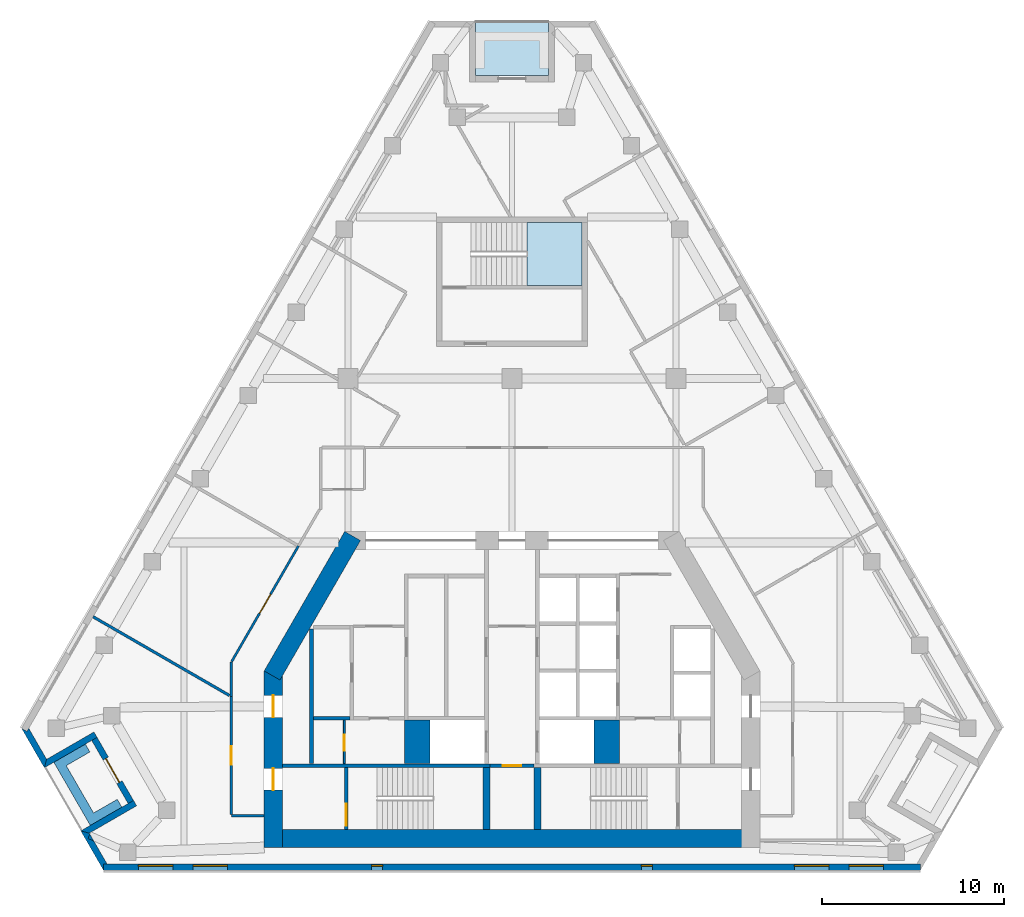
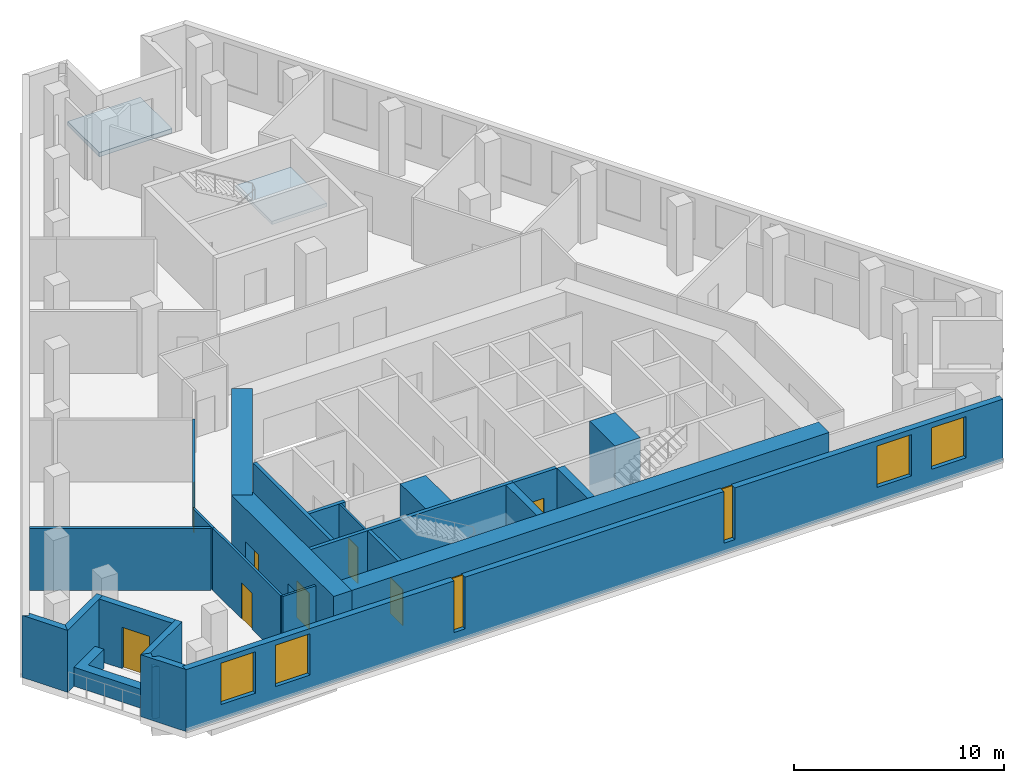
# One storey, part 2 of 8: 26 walls, 8 doors, 6 windows, 2 slabs, 14 openings, 1 element without a shape of its own.
"""IFC4 building model written with IfcOpenShell, lengths in metres."""

from ifc_helpers import new_model, si_unit, direction, frame, frame_2d, origin, place, context, subcontext, project, spatial, polyline, rectangle, outline, extrude, material, layer, layer_set, type_object, element, fill, aggregate, save


model = new_model("IFC4")

# Units and contexts
model_context = context("Model", 3, precision=1e-05, world=origin(), true_north=direction((0.0, 1.0)))
body_context = subcontext(model_context, "Body", "Model", "MODEL_VIEW")
ifc_project = project(units=[si_unit("LENGTHUNIT", "METRE"), si_unit("AREAUNIT", "SQUARE_METRE"), si_unit("VOLUMEUNIT", "CUBIC_METRE"), si_unit("PLANEANGLEUNIT", "RADIAN"), si_unit("MASSUNIT", "GRAM", prefix="KILO")], contexts=[model_context])

# Site, building, storey
site_placement = place(None, origin())
site = spatial("IfcSite", under=ifc_project, at=site_placement, CompositionType="ELEMENT")
building_placement = place(site_placement, origin())
building = spatial("IfcBuilding", under=site, at=building_placement, Name="Fogline Exchange Tower", CompositionType="ELEMENT")
storey_placement = place(building_placement, frame((0.0, 0.0, 227.5)))
storey = spatial("IfcBuildingStorey", under=building, at=storey_placement, Name="L51", CompositionType="ELEMENT", Elevation=227.5)

# Slab
ifc_material_1 = material(Name="Concrete C40", Category="concrete")
ifc_layer_1 = layer(ifc_material_1, 0.25)
ifc_layer_set_1 = layer_set([ifc_layer_1], Name="DK1")
slab_type_1 = type_object("IfcSlabType", Name="DK1", PredefinedType="FLOOR", material=ifc_layer_set_1)
slab_1_placement = place(storey_placement, frame((0.0, 0.0, -0.25)))
element("IfcSlab", 1, at=slab_1_placement, inside=storey, type_object=slab_type_1, Name="Balcony L51 N", PredefinedType="FLOOR", context=body_context, shape_type="SweptSolid", body=[
    extrude(outline(polyline([(2.0, 46.61669921875), (-2.0, 46.61669921875), (-2.0, 43.61669921875), (2.0, 43.61669921875), (2.0, 46.61669921875)])), origin(), (0.0, 0.0, 1.0), 0.25),
])

# Stair, slab
stair_type = type_object("IfcStairType", Name="STR24-1667", PredefinedType="HALF_TURN_STAIR", material=ifc_material_1)
stair_placement = place(storey_placement, origin())
stair = element("IfcStair", 2, at=stair_placement, inside=storey, type_object=stair_type, Name="Stair ST3", PredefinedType="HALF_TURN_STAIR")
ifc_layer_2 = layer(ifc_material_1, 0.199951171875)
ifc_layer_set_2 = layer_set([ifc_layer_2], Name="SL200")
slab_type_2 = type_object("IfcSlabType", Name="SL200", PredefinedType="LANDING", material=ifc_layer_set_2)
slab_2_placement = place(storey_placement, frame((0.0, 0.0, 1.800048828125)))
slab_2 = element("IfcSlab", 3, at=slab_2_placement, type_object=slab_type_2, Name="ST3 landing 1", PredefinedType="LANDING", context=body_context, shape_type="SweptSolid", body=[
    extrude(outline(polyline([(0.830078125, 32.10693359375), (3.85009765625, 32.10693359375), (3.85009765625, 35.556884765625), (0.830078125, 35.556884765625), (0.830078125, 32.10693359375)])), origin(), (0.0, 0.0, 1.0), 0.199951171875),
])
aggregate(stair, [slab_2])

# Wall, opening, door
ifc_material_2 = material(Name="Blockwork partition", Category="masonry")
ifc_layer_3 = layer(ifc_material_2, 0.10009765625)
ifc_layer_set_3 = layer_set([ifc_layer_3], Name="CW10")
wall_type_1 = type_object("IfcWallType", Name="CW10", PredefinedType="PARTITIONING", material=ifc_layer_set_3)
wall_1_placement = place(storey_placement, frame((-9.199951171875, 5.85009765625, 0.0), z_axis=(0.0, 0.0, 1.0), x_axis=(0.0, 1.0, 0.0)))
wall_1 = element("IfcWall", 4, at=wall_1_placement, inside=storey, type_object=wall_type_1, Name="WC partition", PredefinedType="PARTITIONING", context=body_context, shape_type="SweptSolid", body=[
    extrude(rectangle(XDim=2.39990234375, YDim=0.10009765625, at=frame_2d((1.199951171875, 0.0))), origin(), (0.0, 0.0, 1.0), 3.60009765625),
])
opening_1_placement = place(wall_1_placement, frame((0.699951171875, 0.0, 0.0)))
opening_1 = element("IfcOpeningElement", 5, at=opening_1_placement, cuts=wall_1, Name="Opening T16-C008", PredefinedType="OPENING", context=body_context, shape_type="SweptSolid", body=[
    extrude(rectangle(XDim=0.89990234375, YDim=2.10009765625, at=frame_2d((0.449951171875, 1.050048828125))), frame((0.0, 0.06005859375, 0.0), z_axis=(0.0, -1.0, 0.0), x_axis=(1.0, 0.0, 0.0)), (0.0, 0.0, 1.0), 0.1201171875),
])
ifc_material_3 = material(Name="Steel and timber fire door", Category="steel")
door_type_1 = type_object("IfcDoorType", Name="D-CS1", OperationType="SINGLE_SWING_RIGHT", PredefinedType="DOOR", material=ifc_material_3)
door_1_placement = place(opening_1_placement, origin())
door_1 = element("IfcDoor", 6, at=door_1_placement, inside=storey, type_object=door_type_1, Name="Door to Cleaner's Store", OperationType="SINGLE_SWING_LEFT", OverallHeight=2.10009765625, OverallWidth=0.89990234375, PredefinedType="DOOR", context=body_context, shape_type="SweptSolid", body=[
    extrude(rectangle(XDim=0.89990234375, YDim=2.10009765625, at=frame_2d((0.449951171875, 1.050048828125))), frame((0.0, 0.02490234375, 0.0), z_axis=(0.0, -1.0, 0.0), x_axis=(1.0, 0.0, 0.0)), (0.0, 0.0, 1.0), 0.050048828125),
])
fill(opening_1, door_1)

# Walls
ifc_material_4 = material(Name="Concrete C60", Category="concrete")
ifc_layer_4 = layer(ifc_material_4, 1.39990234375)
ifc_layer_set_4 = layer_set([ifc_layer_4], Name="CW140")
wall_type_2 = type_object("IfcWallType", Name="CW140", PredefinedType="SOLIDWALL", material=ifc_layer_set_4)
for number, where, z_axis, x_axis, name in (
    (7, (-5.199951171875, 5.85009765625, -0.39990234375), (0.0, 0.0, 1.0), (0.0, 1.0, 0.0), "Lift shaft block wall"),
    (8, (5.199951171875, 5.85009765625, -0.39990234375), (0.0, 0.0, 1.0), (0.0, 1.0, 0.0), "Lift shaft block wall"),
):
    element("IfcWall", number, at=place(storey_placement, frame(where, z_axis=z_axis, x_axis=x_axis)), inside=storey, type_object=wall_type_2, Name=name, PredefinedType="SOLIDWALL", context=body_context, shape_type="SweptSolid", body=[
        extrude(rectangle(XDim=2.39990234375, YDim=1.39990234375, at=frame_2d((1.199951171875, 0.0))), origin(), (0.0, 0.0, 1.0), 4.0),
    ])
ifc_layer_5 = layer(ifc_material_1, 0.199951171875)
ifc_layer_set_5 = layer_set([ifc_layer_5], Name="CW20")
wall_type_3 = type_object("IfcWallType", Name="CW20", PredefinedType="SOLIDWALL", material=ifc_layer_set_5)
wall_2_placement = place(storey_placement, frame((-11.0, 5.85009765625, 0.0), z_axis=(0.0, 0.0, 1.0), x_axis=(0.0, 1.0, 0.0)))
element("IfcWall", 9, at=wall_2_placement, inside=storey, type_object=wall_type_3, Name="Service room wall", PredefinedType="SOLIDWALL", context=body_context, shape_type="SweptSolid", body=[
    extrude(rectangle(XDim=7.39990234375, YDim=0.199951171875, at=frame_2d((3.699951171875, 0.0))), origin(), (0.0, 0.0, 1.0), 3.60009765625),
])
ifc_layer_6 = layer(ifc_material_1, 0.199951171875)
ifc_layer_set_6 = layer_set([ifc_layer_6], Name="CW20R")
wall_type_4 = type_object("IfcWallType", Name="CW20R", PredefinedType="SOLIDWALL", material=ifc_layer_set_6)
wall_3_placement = place(storey_placement, frame((-12.60009765625, 5.75, -0.39990234375), z_axis=(0.0, 0.0, 1.0), x_axis=(1.0, 0.0, 0.0)))
element("IfcWall", 10, at=wall_3_placement, inside=storey, type_object=wall_type_4, Name="Stair enclosure wall", PredefinedType="SOLIDWALL", context=body_context, shape_type="SweptSolid", body=[
    extrude(rectangle(XDim=11.400146484375, YDim=0.199951171875, at=frame_2d((5.7001953125, 0.0))), origin(), (0.0, 0.0, 1.0), 4.0),
])

# Wall, opening, door
wall_4_placement = place(storey_placement, frame((-1.199951171875, 5.75, -0.39990234375), z_axis=(0.0, 0.0, 1.0), x_axis=(1.0, 0.0, 0.0)))
wall_4 = element("IfcWall", 11, at=wall_4_placement, inside=storey, type_object=wall_type_4, Name="Stair enclosure wall", PredefinedType="SOLIDWALL", context=body_context, shape_type="SweptSolid", body=[
    extrude(rectangle(XDim=2.39990234375, YDim=0.199951171875, at=frame_2d((1.199951171875, 0.0))), origin(), (0.0, 0.0, 1.0), 4.0),
])
opening_2_placement = place(wall_4_placement, frame((0.699951171875, 0.0, 0.39990234375)))
opening_2 = element("IfcOpeningElement", 12, at=opening_2_placement, cuts=wall_4, Name="Opening T16-C005", PredefinedType="OPENING", context=body_context, shape_type="SweptSolid", body=[
    extrude(rectangle(XDim=1.0, YDim=2.10009765625, at=frame_2d((0.5, 1.050048828125))), frame((0.0, 0.10986328125, 0.0), z_axis=(0.0, -1.0, 0.0), x_axis=(1.0, 0.0, 0.0)), (0.0, 0.0, 1.0), 0.219970703125),
])
door_type_2 = type_object("IfcDoorType", Name="D-RM1", OperationType="SINGLE_SWING_LEFT", PredefinedType="DOOR", material=ifc_material_3)
door_2_placement = place(opening_2_placement, frame((1.0, 0.0, 0.0), z_axis=(0.0, 0.0, 1.0), x_axis=(-1.0, 0.0, 0.0)))
door_2 = element("IfcDoor", 13, at=door_2_placement, inside=storey, type_object=door_type_2, Name="Door to Riser Room", OperationType="SINGLE_SWING_RIGHT", OverallHeight=2.10009765625, OverallWidth=1.0, PredefinedType="DOOR", context=body_context, shape_type="SweptSolid", body=[
    extrude(rectangle(XDim=1.0, YDim=2.10009765625, at=frame_2d((0.5, 1.050048828125))), frame((0.0, 0.02490234375, 0.0), z_axis=(0.0, -1.0, 0.0), x_axis=(1.0, 0.0, 0.0)), (0.0, 0.0, 1.0), 0.050048828125),
])
fill(opening_2, door_2)

wall_5_placement = place(storey_placement, frame((-9.10009765625, 2.25, -0.39990234375), z_axis=(0.0, 0.0, 1.0), x_axis=(0.0, 1.0, 0.0)))
wall_5 = element("IfcWall", 14, at=wall_5_placement, inside=storey, type_object=wall_type_4, Name="Stair enclosure wall", PredefinedType="SOLIDWALL", context=body_context, shape_type="SweptSolid", body=[
    extrude(rectangle(XDim=3.39990234375, YDim=0.199951171875, at=frame_2d((1.699951171875, 0.0))), origin(), (0.0, 0.0, 1.0), 4.0),
])
opening_3_placement = place(wall_5_placement, frame((0.199951171875, 0.0, 0.39990234375)))
opening_3 = element("IfcOpeningElement", 15, at=opening_3_placement, cuts=wall_5, Name="Opening T16-C010", PredefinedType="OPENING", context=body_context, shape_type="SweptSolid", body=[
    extrude(rectangle(XDim=1.199951171875, YDim=2.10009765625, at=frame_2d((0.60009765625, 1.050048828125))), frame((0.0, 0.10986328125, 0.0), z_axis=(0.0, -1.0, 0.0), x_axis=(1.0, 0.0, 0.0)), (0.0, 0.0, 1.0), 0.219970703125),
])
door_type_3 = type_object("IfcDoorType", Name="D-ST1", OperationType="SINGLE_SWING_LEFT", PredefinedType="DOOR", material=ifc_material_3)
door_3_placement = place(opening_3_placement, frame((1.199951171875, 0.0, 0.0), z_axis=(0.0, 0.0, 1.0), x_axis=(-1.0, 0.0, 0.0)))
door_3 = element("IfcDoor", 16, at=door_3_placement, inside=storey, type_object=door_type_3, Name="Stair door ST1", OperationType="SINGLE_SWING_RIGHT", OverallHeight=2.10009765625, OverallWidth=1.199951171875, PredefinedType="DOOR", context=body_context, shape_type="SweptSolid", body=[
    extrude(rectangle(XDim=1.199951171875, YDim=2.10009765625, at=frame_2d((0.60009765625, 1.050048828125))), frame((0.0, 0.02490234375, 0.0), z_axis=(0.0, -1.0, 0.0), x_axis=(1.0, 0.0, 0.0)), (0.0, 0.0, 1.0), 0.050048828125),
])
fill(opening_3, door_3)

# Walls
ifc_layer_7 = layer(ifc_material_1, 0.199951171875)
ifc_layer_set_7 = layer_set([ifc_layer_7], Name="CW20S")
wall_type_5 = type_object("IfcWallType", Name="CW20S", PredefinedType="SOLIDWALL", material=ifc_layer_set_7)
wall_6_placement = place(storey_placement, frame((-10.89990234375, 8.35009765625, -0.39990234375), z_axis=(0.0, 0.0, 1.0), x_axis=(1.0, 0.0, 0.0)))
element("IfcWall", 17, at=wall_6_placement, inside=storey, type_object=wall_type_5, Name="Lift shaft wall", PredefinedType="SOLIDWALL", context=body_context, shape_type="SweptSolid", body=[
    extrude(rectangle(XDim=2.0, YDim=0.199951171875, at=frame_2d((1.0, 0.0))), origin(), (0.0, 0.0, 1.0), 4.0),
])
ifc_layer_8 = layer(ifc_material_1, 0.39990234375)
ifc_layer_set_8 = layer_set([ifc_layer_8], Name="CW40R")
wall_type_6 = type_object("IfcWallType", Name="CW40R", PredefinedType="SOLIDWALL", material=ifc_layer_set_8)
for number, where, z_axis, x_axis, name in (
    (18, (-1.39990234375, 2.25, -0.39990234375), (0.0, 0.0, 1.0), (0.0, 1.0, 0.0), "Stair and lift shaft wall"),
    (19, (1.39990234375, 2.25, -0.39990234375), (0.0, 0.0, 1.0), (0.0, 1.0, 0.0), "Stair and lift shaft wall"),
):
    element("IfcWall", number, at=place(storey_placement, frame(where, z_axis=z_axis, x_axis=x_axis)), inside=storey, type_object=wall_type_6, Name=name, PredefinedType="SOLIDWALL", context=body_context, shape_type="SweptSolid", body=[
        extrude(rectangle(XDim=3.39990234375, YDim=0.39990234375, at=frame_2d((1.699951171875, 0.0))), origin(), (0.0, 0.0, 1.0), 4.0),
    ])
ifc_material_5 = material(Name="Brick masonry", Category="masonry")
ifc_layer_9 = layer(ifc_material_5, 0.340087890625)
ifc_layer_set_9 = layer_set([ifc_layer_9], Name="FW1")
wall_type_7 = type_object("IfcWallType", Name="FW1", PredefinedType="SOLIDWALL", material=ifc_layer_set_9)
wall_7_placement = place(storey_placement, origin())
element("IfcWall", 20, at=wall_7_placement, inside=storey, type_object=wall_type_7, Name="Brick wall L51 SW-c1", PredefinedType="SOLIDWALL", context=body_context, shape_type="SweptSolid", body=[
    extrude(outline(polyline([(-25.6640625, 5.6279296875), (-26.915283203125, 7.794921875), (-26.914794921875, 7.79541015625), (-26.619873046875, 7.625), (-26.521484375, 7.79541015625), (-25.5390625, 6.09375), (-25.663818359375, 5.6279296875), (-25.6640625, 5.6279296875)])), origin(), (0.0, 0.0, 1.0), 3.60009765625),
])
wall_8_placement = place(storey_placement, origin())
element("IfcWall", 21, at=wall_8_placement, inside=storey, type_object=wall_type_7, Name="Brick wall L51 SW-s1", PredefinedType="SOLIDWALL", context=body_context, shape_type="SweptSolid", body=[
    extrude(outline(polyline([(-22.94140625, 7.594482421875), (-22.770751953125, 7.298828125), (-23.065673828125, 7.128662109375), (-25.664794921875, 5.628173828125), (-25.6650390625, 5.62841796875), (-25.540283203125, 6.093994140625), (-22.94140625, 7.594482421875)])), origin(), (0.0, 0.0, 1.0), 3.60009765625),
])

# Wall, opening, door
wall_9_placement = place(storey_placement, frame((-22.9189453125, 7.214111328125, 0.0), z_axis=(0.0, 0.0, 1.0), x_axis=(0.49999894854, -0.866026010844, 0.0)))
wall_9 = element("IfcWall", 22, at=wall_9_placement, inside=storey, type_object=wall_type_7, Name="Brick wall L51 SW-bk", PredefinedType="SOLIDWALL", context=body_context, shape_type="SweptSolid", body=[
    extrude(rectangle(XDim=4.0, YDim=0.340087890625, at=frame_2d((2.0, 0.0))), origin(), (0.0, 0.0, 1.0), 3.60009765625),
])
opening_4_placement = place(wall_9_placement, frame((1.25, 0.0, 0.0)))
opening_4 = element("IfcOpeningElement", 23, at=opening_4_placement, cuts=wall_9, Name="Opening T16-E021", PredefinedType="OPENING", context=body_context, shape_type="SweptSolid", body=[
    extrude(rectangle(XDim=1.5, YDim=2.39990234375, at=frame_2d((0.75, 1.199951171875))), frame((0.0, 0.18017578125, 0.0), z_axis=(0.0, -1.0, 0.0), x_axis=(1.0, 0.0, 0.0)), (0.0, 0.0, 1.0), 0.360107421875),
])
ifc_material_6 = material(Name="Aluminium and glass", Category="aluminium")
door_type_4 = type_object("IfcDoorType", Name="ED4", OperationType="SINGLE_SWING_LEFT", PredefinedType="DOOR", material=ifc_material_6)
door_4_placement = place(opening_4_placement, frame((1.5, 0.0, 0.0), z_axis=(0.0, 0.0, 1.0), x_axis=(-1.0, 0.0, 0.0)))
door_4 = element("IfcDoor", 24, at=door_4_placement, inside=storey, type_object=door_type_4, Name="Balcony door L51 SW", OperationType="DOUBLE_DOOR_SINGLE_SWING", OverallHeight=2.39990234375, OverallWidth=1.5, PredefinedType="DOOR", context=body_context, shape_type="SweptSolid", body=[
    extrude(rectangle(XDim=1.5, YDim=2.39990234375, at=frame_2d((0.75, 1.199951171875))), frame((0.0, 0.02490234375, 0.0), z_axis=(0.0, -1.0, 0.0), x_axis=(1.0, 0.0, 0.0)), (0.0, 0.0, 1.0), 0.050048828125),
])
fill(opening_4, door_4)

# Walls
wall_10_placement = place(storey_placement, origin())
element("IfcWall", 25, at=wall_10_placement, inside=storey, type_object=wall_type_7, Name="Brick wall L51 SW-s2", PredefinedType="SOLIDWALL", context=body_context, shape_type="SweptSolid", body=[
    extrude(outline(polyline([(-23.665283203125, 2.1650390625), (-21.06640625, 3.66552734375), (-20.771484375, 3.8359375), (-20.600830078125, 3.540283203125), (-23.19970703125, 2.0400390625), (-23.665283203125, 2.164794921875), (-23.665283203125, 2.1650390625)])), origin(), (0.0, 0.0, 1.0), 3.60009765625),
])
wall_11_placement = place(storey_placement, origin())
element("IfcWall", 26, at=wall_11_placement, inside=storey, type_object=wall_type_7, Name="Brick wall L51 SW-c2", PredefinedType="SOLIDWALL", context=body_context, shape_type="SweptSolid", body=[
    extrude(outline(polyline([(-22.9482421875, 1.606201171875), (-23.271484375, 1.75), (-23.1669921875, 1.985107421875), (-22.9482421875, 1.606201171875)])), origin(), (0.0, 0.0, 1.0), 3.0),
])
wall_12_placement = place(storey_placement, origin())
element("IfcWall", 27, at=wall_12_placement, inside=storey, type_object=wall_type_7, Name="Brick wall L51 SW-c2", PredefinedType="SOLIDWALL", context=body_context, shape_type="SweptSolid", body=[
    extrude(outline(polyline([(-22.41357421875, 0.33935546875), (-22.41357421875, -0.0009765625), (-22.4140625, -0.001220703125), (-23.665283203125, 2.165771484375), (-23.6650390625, 2.166015625), (-23.19921875, 2.041015625), (-23.1669921875, 1.985107421875), (-23.271484375, 1.75), (-22.9482421875, 1.606201171875), (-22.216796875, 0.33935546875), (-22.41357421875, 0.33935546875)])), origin(), (0.0, 0.0, 1.0), 3.60009765625),
])

# Wall, openings, windows
wall_13_placement = place(storey_placement, frame((-22.4140625, 0.169921875, 0.0), z_axis=(0.0, 0.0, 1.0), x_axis=(1.0, 0.0, 0.0)))
wall_13 = element("IfcWall", 28, at=wall_13_placement, inside=storey, type_object=wall_type_7, Name="Brick wall L51 S", PredefinedType="SOLIDWALL", context=body_context, shape_type="SweptSolid", body=[
    extrude(rectangle(XDim=44.828125, YDim=0.340087890625, at=frame_2d((22.4140625, 0.0))), origin(), (0.0, 0.0, 1.0), 3.60009765625),
])
opening_5_placement = place(wall_13_placement, frame((1.9140625, 0.0, 0.89990234375)))
opening_5 = element("IfcOpeningElement", 29, at=opening_5_placement, cuts=wall_13, Name="Opening W1", PredefinedType="OPENING", context=body_context, shape_type="SweptSolid", body=[
    extrude(rectangle(XDim=1.885009765625, YDim=2.39990234375, at=frame_2d((0.9423828125, 1.199951171875))), frame((0.0, 0.18017578125, 0.0), z_axis=(0.0, -1.0, 0.0), x_axis=(1.0, 0.0, 0.0)), (0.0, 0.0, 1.0), 0.360107421875),
])
opening_6_placement = place(wall_13_placement, frame((4.9140625, 0.0, 0.89990234375)))
opening_6 = element("IfcOpeningElement", 30, at=opening_6_placement, cuts=wall_13, Name="Opening W1", PredefinedType="OPENING", context=body_context, shape_type="SweptSolid", body=[
    extrude(rectangle(XDim=1.885009765625, YDim=2.39990234375, at=frame_2d((0.9423828125, 1.199951171875))), frame((0.0, 0.18017578125, 0.0), z_axis=(0.0, -1.0, 0.0), x_axis=(1.0, 0.0, 0.0)), (0.0, 0.0, 1.0), 0.360107421875),
])
opening_7_placement = place(wall_13_placement, frame((37.9140625, 0.0, 0.89990234375)))
opening_7 = element("IfcOpeningElement", 31, at=opening_7_placement, cuts=wall_13, Name="Opening W1", PredefinedType="OPENING", context=body_context, shape_type="SweptSolid", body=[
    extrude(rectangle(XDim=1.885009765625, YDim=2.39990234375, at=frame_2d((0.9423828125, 1.199951171875))), frame((0.0, 0.18017578125, 0.0), z_axis=(0.0, -1.0, 0.0), x_axis=(1.0, 0.0, 0.0)), (0.0, 0.0, 1.0), 0.360107421875),
])
opening_8_placement = place(wall_13_placement, frame((40.9140625, 0.0, 0.89990234375)))
opening_8 = element("IfcOpeningElement", 32, at=opening_8_placement, cuts=wall_13, Name="Opening W1", PredefinedType="OPENING", context=body_context, shape_type="SweptSolid", body=[
    extrude(rectangle(XDim=1.885009765625, YDim=2.39990234375, at=frame_2d((0.9423828125, 1.199951171875))), frame((0.0, 0.18017578125, 0.0), z_axis=(0.0, -1.0, 0.0), x_axis=(1.0, 0.0, 0.0)), (0.0, 0.0, 1.0), 0.360107421875),
])
opening_9_placement = place(wall_13_placement, frame((14.714111328125, 0.0, 0.60009765625)))
opening_9 = element("IfcOpeningElement", 33, at=opening_9_placement, cuts=wall_13, Name="Opening W5", PredefinedType="OPENING", context=body_context, shape_type="SweptSolid", body=[
    extrude(rectangle(XDim=0.60009765625, YDim=3.0, at=frame_2d((0.300048828125, 1.5))), frame((0.0, 0.18017578125, 0.0), z_axis=(0.0, -1.0, 0.0), x_axis=(1.0, 0.0, 0.0)), (0.0, 0.0, 1.0), 0.360107421875),
])
opening_10_placement = place(wall_13_placement, frame((29.51416015625, 0.0, 0.60009765625)))
opening_10 = element("IfcOpeningElement", 34, at=opening_10_placement, cuts=wall_13, Name="Opening W5", PredefinedType="OPENING", context=body_context, shape_type="SweptSolid", body=[
    extrude(rectangle(XDim=0.60009765625, YDim=3.0, at=frame_2d((0.300048828125, 1.5))), frame((0.0, 0.18017578125, 0.0), z_axis=(0.0, -1.0, 0.0), x_axis=(1.0, 0.0, 0.0)), (0.0, 0.0, 1.0), 0.360107421875),
])
window_type_1 = type_object("IfcWindowType", Name="W1", PartitioningType="SINGLE_PANEL", PredefinedType="WINDOW", material=ifc_material_6)
window_1_placement = place(opening_5_placement, origin())
window_1 = element("IfcWindow", 35, at=window_1_placement, inside=storey, type_object=window_type_1, Name="W1 W1", OverallHeight=2.39990234375, OverallWidth=1.885009765625, PartitioningType="SINGLE_PANEL", PredefinedType="WINDOW", context=body_context, shape_type="SweptSolid", body=[
    extrude(rectangle(XDim=1.885009765625, YDim=2.39990234375, at=frame_2d((0.9423828125, 1.199951171875))), frame((0.0, 0.110107421875, 0.0), z_axis=(0.0, -1.0, 0.0), x_axis=(1.0, 0.0, 0.0)), (0.0, 0.0, 1.0), 0.06005859375),
])
fill(opening_5, window_1)
window_2_placement = place(opening_6_placement, origin())
window_2 = element("IfcWindow", 36, at=window_2_placement, inside=storey, type_object=window_type_1, Name="W1 W1", OverallHeight=2.39990234375, OverallWidth=1.885009765625, PartitioningType="SINGLE_PANEL", PredefinedType="WINDOW", context=body_context, shape_type="SweptSolid", body=[
    extrude(rectangle(XDim=1.885009765625, YDim=2.39990234375, at=frame_2d((0.9423828125, 1.199951171875))), frame((0.0, 0.110107421875, 0.0), z_axis=(0.0, -1.0, 0.0), x_axis=(1.0, 0.0, 0.0)), (0.0, 0.0, 1.0), 0.06005859375),
])
fill(opening_6, window_2)
window_3_placement = place(opening_7_placement, origin())
window_3 = element("IfcWindow", 37, at=window_3_placement, inside=storey, type_object=window_type_1, Name="W1 W1", OverallHeight=2.39990234375, OverallWidth=1.885009765625, PartitioningType="SINGLE_PANEL", PredefinedType="WINDOW", context=body_context, shape_type="SweptSolid", body=[
    extrude(rectangle(XDim=1.885009765625, YDim=2.39990234375, at=frame_2d((0.9423828125, 1.199951171875))), frame((0.0, 0.110107421875, 0.0), z_axis=(0.0, -1.0, 0.0), x_axis=(1.0, 0.0, 0.0)), (0.0, 0.0, 1.0), 0.06005859375),
])
fill(opening_7, window_3)
window_4_placement = place(opening_8_placement, origin())
window_4 = element("IfcWindow", 38, at=window_4_placement, inside=storey, type_object=window_type_1, Name="W1 W1", OverallHeight=2.39990234375, OverallWidth=1.885009765625, PartitioningType="SINGLE_PANEL", PredefinedType="WINDOW", context=body_context, shape_type="SweptSolid", body=[
    extrude(rectangle(XDim=1.885009765625, YDim=2.39990234375, at=frame_2d((0.9423828125, 1.199951171875))), frame((0.0, 0.110107421875, 0.0), z_axis=(0.0, -1.0, 0.0), x_axis=(1.0, 0.0, 0.0)), (0.0, 0.0, 1.0), 0.06005859375),
])
fill(opening_8, window_4)
window_type_2 = type_object("IfcWindowType", Name="W5", PartitioningType="SINGLE_PANEL", PredefinedType="WINDOW", material=ifc_material_6)
window_5_placement = place(opening_9_placement, origin())
window_5 = element("IfcWindow", 39, at=window_5_placement, inside=storey, type_object=window_type_2, Name="W5 W5", OverallHeight=3.0, OverallWidth=0.60009765625, PartitioningType="SINGLE_PANEL", PredefinedType="WINDOW", context=body_context, shape_type="SweptSolid", body=[
    extrude(rectangle(XDim=0.60009765625, YDim=3.0, at=frame_2d((0.300048828125, 1.5))), frame((0.0, 0.110107421875, 0.0), z_axis=(0.0, -1.0, 0.0), x_axis=(1.0, 0.0, 0.0)), (0.0, 0.0, 1.0), 0.06005859375),
])
fill(opening_9, window_5)
window_6_placement = place(opening_10_placement, origin())
window_6 = element("IfcWindow", 40, at=window_6_placement, inside=storey, type_object=window_type_2, Name="W5 W5", OverallHeight=3.0, OverallWidth=0.60009765625, PartitioningType="SINGLE_PANEL", PredefinedType="WINDOW", context=body_context, shape_type="SweptSolid", body=[
    extrude(rectangle(XDim=0.60009765625, YDim=3.0, at=frame_2d((0.300048828125, 1.5))), frame((0.0, 0.110107421875, 0.0), z_axis=(0.0, -1.0, 0.0), x_axis=(1.0, 0.0, 0.0)), (0.0, 0.0, 1.0), 0.06005859375),
])
fill(opening_10, window_6)

# Walls
ifc_material_7 = material(Name="Concrete C30", Category="concrete")
ifc_layer_10 = layer(ifc_material_7, 0.199951171875)
ifc_layer_set_10 = layer_set([ifc_layer_10], Name="PL1")
wall_type_8 = type_object("IfcWallType", Name="PL1", PredefinedType="USERDEFINED", material=ifc_layer_set_10)
wall_14_placement = place(storey_placement, origin())
element("IfcWall", 41, at=wall_14_placement, inside=storey, type_object=wall_type_8, Name="PLANTER balcony L51 SW", ObjectType="PLANTER", PredefinedType="USERDEFINED", context=body_context, shape_type="SweptSolid", body=[
    extrude(outline(polyline([(-21.66259765625, 3.898193359375), (-22.96142578125, 3.148193359375), (-24.46142578125, 5.74609375), (-23.16259765625, 6.49609375), (-23.41259765625, 6.92919921875), (-25.14453125, 5.92919921875), (-24.89453125, 5.49609375), (-23.14453125, 2.465087890625), (-22.71142578125, 2.715087890625), (-22.71142578125, 2.715087890625), (-21.41259765625, 3.465087890625), (-21.66259765625, 3.898193359375)])), origin(), (0.0, 0.0, 1.0), 1.10009765625),
])
ifc_material_8 = material(Name="Plasterboard corridor partition with mineral wool, 2 layers each side")
ifc_layer_11 = layer(ifc_material_8, 0.125)
ifc_layer_set_11 = layer_set([ifc_layer_11], Name="PW2")
wall_type_9 = type_object("IfcWallType", Name="PW2", PredefinedType="PARTITIONING", material=ifc_layer_set_11)
wall_15_placement = place(storey_placement, frame((-15.39990234375, 9.534912109375, 0.0), z_axis=(0.0, 0.0, 1.0), x_axis=(0.0, 1.0, 0.0)))
element("IfcWall", 42, at=wall_15_placement, inside=storey, type_object=wall_type_9, Name="wall-L51-W013", PredefinedType="PARTITIONING", context=body_context, shape_type="SweptSolid", body=[
    extrude(rectangle(XDim=1.892822265625, YDim=0.125, at=frame_2d((0.9462890625, 0.0))), origin(), (0.0, 0.0, 1.0), 3.60009765625),
])

# Wall, opening, door
wall_16_placement = place(storey_placement, frame((-15.384521484375, 11.45458984375, 0.0), z_axis=(0.0, 0.0, 1.0), x_axis=(0.500007885066, 0.866020851292, 0.0)))
wall_16 = element("IfcWall", 43, at=wall_16_placement, inside=storey, type_object=wall_type_9, Name="wall-L51-W014", PredefinedType="PARTITIONING", context=body_context, shape_type="SweptSolid", body=[
    extrude(rectangle(XDim=7.330078125, YDim=0.125, at=frame_2d((3.6650390625, 0.0))), origin(), (0.0, 0.0, 1.0), 3.60009765625),
])
opening_11_placement = place(wall_16_placement, frame((3.06494140625, 0.0, 0.0)))
opening_11 = element("IfcOpeningElement", 44, at=opening_11_placement, cuts=wall_16, Name="Opening T16-D005", PredefinedType="OPENING", context=body_context, shape_type="SweptSolid", body=[
    extrude(rectangle(XDim=1.199951171875, YDim=2.10009765625, at=frame_2d((0.60009765625, 1.050048828125))), frame((0.0, 0.072509765625, 0.0), z_axis=(0.0, -1.0, 0.0), x_axis=(1.0, 0.0, 0.0)), (0.0, 0.0, 1.0), 0.14501953125),
])
ifc_material_9 = material(Name="Fire-rated glazed door leaf with steel frame", Category="steel")
door_type_5 = type_object("IfcDoorType", Name="D5", OperationType="SINGLE_SWING_LEFT", PredefinedType="DOOR", material=ifc_material_9)
door_5_placement = place(opening_11_placement, origin())
door_5 = element("IfcDoor", 45, at=door_5_placement, inside=storey, type_object=door_type_5, Name="door-L51-D005", OperationType="SINGLE_SWING_LEFT", OverallHeight=2.10009765625, OverallWidth=1.199951171875, PredefinedType="DOOR", context=body_context, shape_type="SweptSolid", body=[
    extrude(rectangle(XDim=1.199951171875, YDim=2.10009765625, at=frame_2d((0.60009765625, 1.050048828125))), frame((0.0, 0.02490234375, 0.0), z_axis=(0.0, -1.0, 0.0), x_axis=(1.0, 0.0, 0.0)), (0.0, 0.0, 1.0), 0.050048828125),
])
fill(opening_11, door_5)

# Wall
wall_17_placement = place(storey_placement, frame((-13.60009765625, 3.0, 0.0), z_axis=(0.0, 0.0, 1.0), x_axis=(-1.0, 0.0, 0.0)))
element("IfcWall", 46, at=wall_17_placement, inside=storey, type_object=wall_type_9, Name="wall-L51-W015", PredefinedType="PARTITIONING", context=body_context, shape_type="SweptSolid", body=[
    extrude(rectangle(XDim=1.7998046875, YDim=0.125, at=frame_2d((0.89990234375, 0.0))), origin(), (0.0, 0.0, 1.0), 3.60009765625),
])

# Wall, opening, door
wall_18_placement = place(storey_placement, frame((-15.39990234375, 3.0625, 0.0), z_axis=(0.0, 0.0, 1.0), x_axis=(0.0, 1.0, 0.0)))
wall_18 = element("IfcWall", 47, at=wall_18_placement, inside=storey, type_object=wall_type_9, Name="wall-L51-W016", PredefinedType="PARTITIONING", context=body_context, shape_type="SweptSolid", body=[
    extrude(rectangle(XDim=6.472412109375, YDim=0.125, at=frame_2d((3.236328125, 0.0))), origin(), (0.0, 0.0, 1.0), 3.60009765625),
])
opening_12_placement = place(wall_18_placement, frame((2.736083984375, 0.0, 0.0)))
opening_12 = element("IfcOpeningElement", 48, at=opening_12_placement, cuts=wall_18, Name="Opening T16-D006", PredefinedType="OPENING", context=body_context, shape_type="SweptSolid", body=[
    extrude(rectangle(XDim=1.0, YDim=2.10009765625, at=frame_2d((0.5, 1.050048828125))), frame((0.0, 0.072509765625, 0.0), z_axis=(0.0, -1.0, 0.0), x_axis=(1.0, 0.0, 0.0)), (0.0, 0.0, 1.0), 0.14501953125),
])
ifc_material_10 = material(Name="Fire-rated timber door leaf with steel frame", Category="steel")
door_type_6 = type_object("IfcDoorType", Name="D3", OperationType="SINGLE_SWING_LEFT", PredefinedType="DOOR", material=ifc_material_10)
door_6_placement = place(opening_12_placement, origin())
door_6 = element("IfcDoor", 49, at=door_6_placement, inside=storey, type_object=door_type_6, Name="door-L51-D006", OperationType="SINGLE_SWING_LEFT", OverallHeight=2.10009765625, OverallWidth=1.0, PredefinedType="DOOR", context=body_context, shape_type="SweptSolid", body=[
    extrude(rectangle(XDim=1.0, YDim=2.10009765625, at=frame_2d((0.5, 1.050048828125))), frame((0.0, 0.02490234375, 0.0), z_axis=(0.0, -1.0, 0.0), x_axis=(1.0, 0.0, 0.0)), (0.0, 0.0, 1.0), 0.050048828125),
])
fill(opening_12, door_6)

# Walls
ifc_material_11 = material(Name="Plasterboard demising partition with mineral wool and acoustic board")
ifc_layer_12 = layer(ifc_material_11, 0.14990234375)
ifc_layer_set_12 = layer_set([ifc_layer_12], Name="PW3")
wall_type_10 = type_object("IfcWallType", Name="PW3", PredefinedType="PARTITIONING", material=ifc_layer_set_12)
wall_19_placement = place(storey_placement, frame((-15.50048828125, 9.593017578125, 0.0), z_axis=(0.0, 0.0, 1.0), x_axis=(-0.866025689381, 0.499999505331, 0.0)))
element("IfcWall", 50, at=wall_19_placement, inside=storey, type_object=wall_type_10, Name="wall-L51-W044", PredefinedType="PARTITIONING", context=body_context, shape_type="SweptSolid", body=[
    extrude(rectangle(XDim=8.64501953125, YDim=0.14990234375, at=frame_2d((4.322509765625, 0.0))), origin(), (0.0, 0.0, 1.0), 3.60009765625),
])
ifc_layer_13 = layer(ifc_material_4, 1.0)
ifc_layer_set_13 = layer_set([ifc_layer_13], Name="SW03")
wall_type_11 = type_object("IfcWallType", Name="SW03", PredefinedType="SHEAR", material=ifc_layer_set_13)
wall_20_placement = place(storey_placement, frame((-13.60009765625, 1.75, 0.0), z_axis=(0.0, 0.0, 1.0), x_axis=(1.0, 0.0, 0.0)))
element("IfcWall", 51, at=wall_20_placement, inside=storey, type_object=wall_type_11, Name="L51-W901", PredefinedType="SHEAR", context=body_context, shape_type="SweptSolid", body=[
    extrude(rectangle(XDim=27.2001953125, YDim=1.0, at=frame_2d((13.60009765625, 0.0))), origin(), (0.0, 0.0, 1.0), 4.0),
])
wall_21_placement = place(storey_placement, frame((-8.74755859375, 18.35009765625, 0.0), z_axis=(0.0, 0.0, 1.0), x_axis=(-0.499995021168, -0.866028278295, 0.0)))
element("IfcWall", 52, at=wall_21_placement, inside=storey, type_object=wall_type_11, Name="L51-W905", PredefinedType="SHEAR", context=body_context, shape_type="SweptSolid", body=[
    extrude(rectangle(XDim=8.8388671875, YDim=1.0, at=frame_2d((4.41943359375, 0.0))), origin(), (0.0, 0.0, 1.0), 4.0),
])

# Wall, openings, doors
wall_22_placement = place(storey_placement, frame((-13.10009765625, 10.9453125, 0.0), z_axis=(0.0, 0.0, 1.0), x_axis=(0.0, -1.0, 0.0)))
wall_22 = element("IfcWall", 53, at=wall_22_placement, inside=storey, type_object=wall_type_11, Name="L51-W906", PredefinedType="SHEAR", context=body_context, shape_type="SweptSolid", body=[
    extrude(rectangle(XDim=9.6953125, YDim=1.0, at=frame_2d((4.84765625, 0.0))), origin(), (0.0, 0.0, 1.0), 4.0),
])
opening_13_placement = place(wall_22_placement, frame((5.345458984375, 0.0, 0.0)))
opening_13 = element("IfcOpeningElement", 54, at=opening_13_placement, cuts=wall_22, Name="Opening T16-C009", PredefinedType="OPENING", context=body_context, shape_type="SweptSolid", body=[
    extrude(rectangle(XDim=1.199951171875, YDim=2.10009765625, at=frame_2d((0.60009765625, 1.050048828125))), frame((0.0, 0.510009765625, 0.0), z_axis=(0.0, -1.0, 0.0), x_axis=(1.0, 0.0, 0.0)), (0.0, 0.0, 1.0), 1.02001953125),
])
opening_14_placement = place(wall_22_placement, frame((1.345458984375, 0.0, 0.0)))
opening_14 = element("IfcOpeningElement", 55, at=opening_14_placement, cuts=wall_22, Name="Opening T16-C011", PredefinedType="OPENING", context=body_context, shape_type="SweptSolid", body=[
    extrude(rectangle(XDim=1.199951171875, YDim=2.10009765625, at=frame_2d((0.60009765625, 1.050048828125))), frame((0.0, 0.510009765625, 0.0), z_axis=(0.0, -1.0, 0.0), x_axis=(1.0, 0.0, 0.0)), (0.0, 0.0, 1.0), 1.02001953125),
])
door_type_7 = type_object("IfcDoorType", Name="D-FR1", OperationType="SINGLE_SWING_RIGHT", PredefinedType="DOOR", material=ifc_material_3)
door_7_placement = place(opening_13_placement, origin())
door_7 = element("IfcDoor", 56, at=door_7_placement, inside=storey, type_object=door_type_7, Name="Front room door ST1", OperationType="SINGLE_SWING_LEFT", OverallHeight=2.10009765625, OverallWidth=1.199951171875, PredefinedType="DOOR", context=body_context, shape_type="SweptSolid", body=[
    extrude(rectangle(XDim=1.199951171875, YDim=2.10009765625, at=frame_2d((0.60009765625, 1.050048828125))), frame((0.0, 0.02490234375, 0.0), z_axis=(0.0, -1.0, 0.0), x_axis=(1.0, 0.0, 0.0)), (0.0, 0.0, 1.0), 0.050048828125),
])
fill(opening_13, door_7)
door_type_8 = type_object("IfcDoorType", Name="D-SV1", OperationType="SINGLE_SWING_LEFT", PredefinedType="DOOR", material=ifc_material_3)
door_8_placement = place(opening_14_placement, origin())
door_8 = element("IfcDoor", 57, at=door_8_placement, inside=storey, type_object=door_type_8, Name="Service door W", OperationType="SINGLE_SWING_LEFT", OverallHeight=2.10009765625, OverallWidth=1.199951171875, PredefinedType="DOOR", context=body_context, shape_type="SweptSolid", body=[
    extrude(rectangle(XDim=1.199951171875, YDim=2.10009765625, at=frame_2d((0.60009765625, 1.050048828125))), frame((0.0, 0.02490234375, 0.0), z_axis=(0.0, -1.0, 0.0), x_axis=(1.0, 0.0, 0.0)), (0.0, 0.0, 1.0), 0.050048828125),
])
fill(opening_14, door_8)

save(model, "model.ifc")
